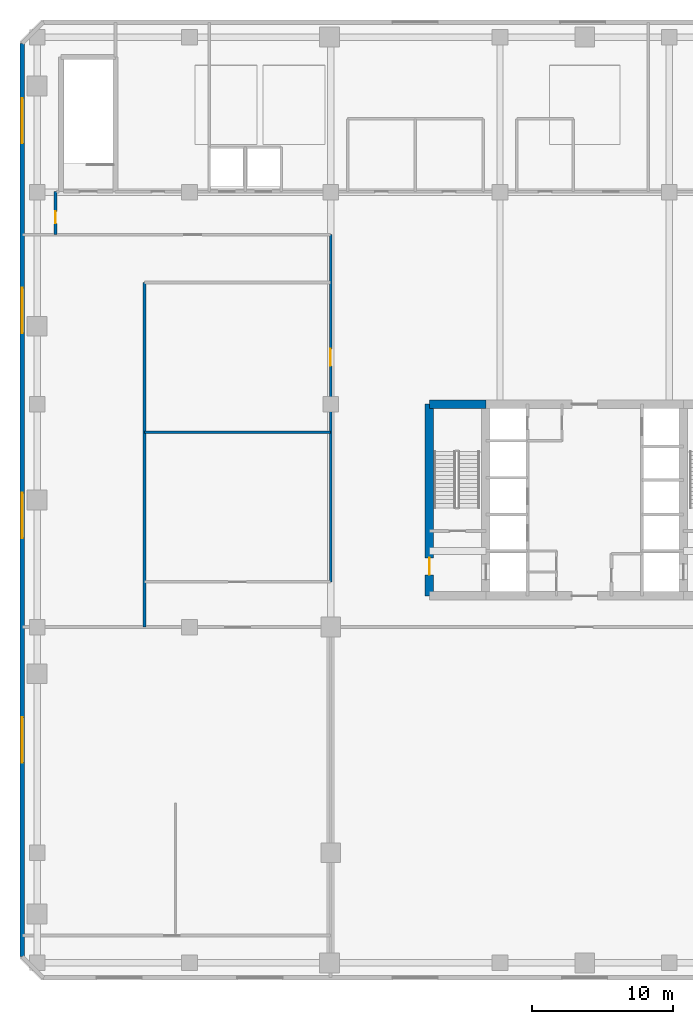
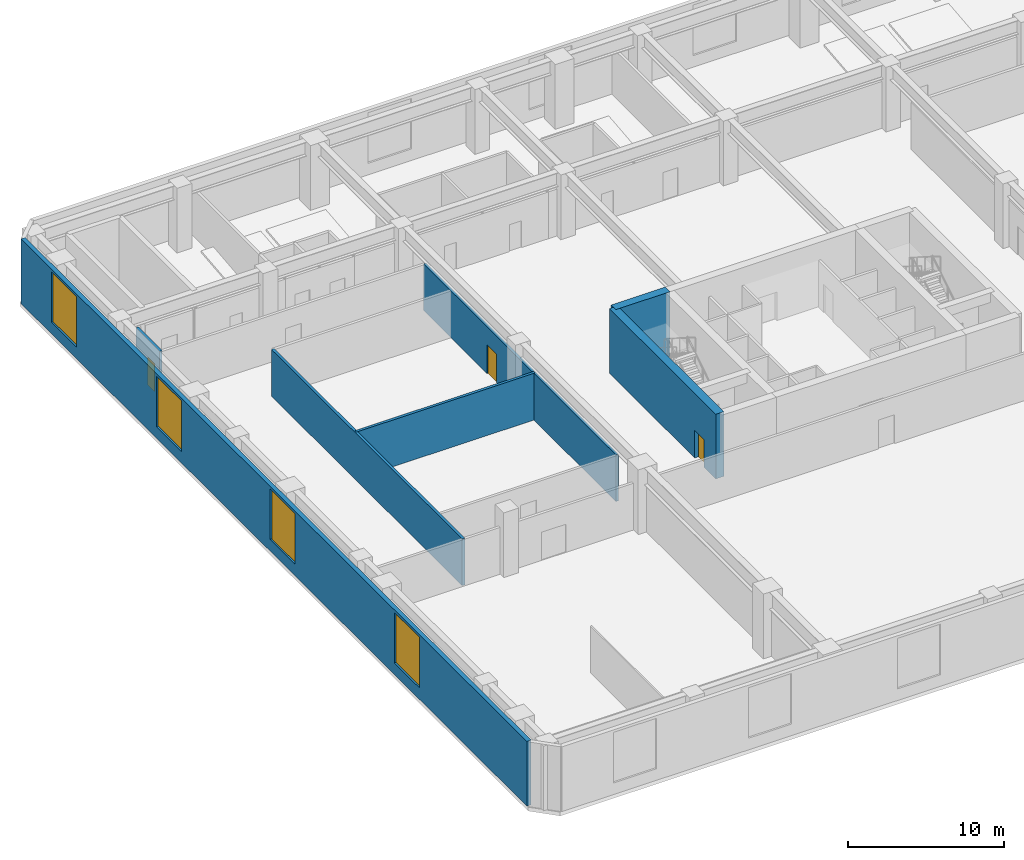
# One storey, part 5 of 12: 7 walls, 4 windows, 3 doors, 7 openings.
"""IFC4 building model written with IfcOpenShell, lengths in metres."""

from ifc_helpers import new_model, si_unit, direction, frame, frame_2d, origin, place, context, subcontext, project, spatial, rectangle, extrude, material, layer, layer_set, type_object, element, fill, save


model = new_model("IFC4")

# Units and contexts
model_context = context("Model", 3, precision=1e-05, world=origin(), true_north=direction((0.0, 1.0)))
body_context = subcontext(model_context, "Body", "Model", "MODEL_VIEW")
ifc_project = project(units=[si_unit("LENGTHUNIT", "METRE"), si_unit("AREAUNIT", "SQUARE_METRE"), si_unit("VOLUMEUNIT", "CUBIC_METRE"), si_unit("PLANEANGLEUNIT", "RADIAN"), si_unit("MASSUNIT", "GRAM", prefix="KILO")], contexts=[model_context])

# Site, building, storey
site_placement = place(None, origin())
site = spatial("IfcSite", under=ifc_project, at=site_placement, CompositionType="ELEMENT")
building_placement = place(site_placement, origin())
building = spatial("IfcBuilding", under=site, at=building_placement, Name="Sarneth Arch Tower", CompositionType="ELEMENT")
storey_placement = place(building_placement, frame((0.0, 0.0, 16.800048828125)))
storey = spatial("IfcBuildingStorey", under=building, at=storey_placement, Name="L03", CompositionType="ELEMENT", Elevation=16.800048828125)

# Wall
ifc_material_1 = material(Name="Concrete C60/75", Category="concrete")
ifc_layer_1 = layer(ifc_material_1, 0.60009765625)
ifc_layer_set_1 = layer_set([ifc_layer_1], Name="Concrete C60/75")
wall_type_1 = type_object("IfcWallType", Name="WALL-CORE-600", PredefinedType="SHEAR", material=ifc_layer_set_1)
wall_1_placement = place(storey_placement, frame((37.0, 48.800048828125, 0.0), z_axis=(0.0, 0.0, 1.0), x_axis=(1.0, 0.0, 0.0)))
element("IfcWall", 1, at=wall_1_placement, inside=storey, type_object=wall_type_1, Name="L03 Core shear wall N-W", PredefinedType="SHEAR", context=body_context, shape_type="SweptSolid", body=[
    extrude(rectangle(XDim=4.0, YDim=0.60009765625, at=frame_2d((2.0, 0.0))), origin(), (0.0, 0.0, 1.0), 5.050048828125),
])

# Wall, opening, door
wall_2_placement = place(storey_placement, frame((37.0, 35.199951171875, 0.0), z_axis=(0.0, 0.0, 1.0), x_axis=(0.0, 1.0, 0.0)))
wall_2 = element("IfcWall", 2, at=wall_2_placement, inside=storey, type_object=wall_type_1, Name="L03 Core shear wall W", PredefinedType="SHEAR", context=body_context, shape_type="SweptSolid", body=[
    extrude(rectangle(XDim=13.60009765625, YDim=0.60009765625, at=frame_2d((6.800048828125, 0.0))), origin(), (0.0, 0.0, 1.0), 5.050048828125),
])
opening_1_placement = place(wall_2_placement, frame((1.5, 0.0, 0.0)))
opening_1 = element("IfcOpeningElement", 3, at=opening_1_placement, cuts=wall_2, Name="Opening FD-02", PredefinedType="OPENING", context=body_context, shape_type="SweptSolid", body=[
    extrude(rectangle(XDim=1.199951171875, YDim=2.14990234375, at=frame_2d((0.60009765625, 1.074951171875))), frame((0.0, 0.31005859375, 0.0), z_axis=(0.0, -1.0, 0.0), x_axis=(1.0, 0.0, 0.0)), (0.0, 0.0, 1.0), 0.6201171875),
])
ifc_material_2 = material(Name="Galvanised Steel S275 fire door set", Category="steel")
door_type_1 = type_object("IfcDoorType", Name="DR-FD90-1200", OperationType="SINGLE_SWING_LEFT", PredefinedType="DOOR", material=ifc_material_2)
door_1_placement = place(opening_1_placement, origin())
door_1 = element("IfcDoor", 4, at=door_1_placement, inside=storey, type_object=door_type_1, Name="L03 Firefighting lobby 1 exit door", OperationType="SINGLE_SWING_LEFT", OverallHeight=2.14990234375, OverallWidth=1.199951171875, PredefinedType="DOOR", context=body_context, shape_type="SweptSolid", body=[
    extrude(rectangle(XDim=1.199951171875, YDim=2.14990234375, at=frame_2d((0.60009765625, 1.074951171875))), frame((0.0, 0.02490234375, 0.0), z_axis=(0.0, -1.0, 0.0), x_axis=(1.0, 0.0, 0.0)), (0.0, 0.0, 1.0), 0.050048828125),
])
fill(opening_1, door_1)

ifc_material_3 = material(Name="Double steel-stud corridor fire wall", Category="steel")
ifc_layer_2 = layer(ifc_material_3, 0.18994140625)
ifc_layer_set_2 = layer_set([ifc_layer_2], Name="Double steel-stud corridor fire wall")
wall_type_2 = type_object("IfcWallType", Name="WALL-CORR-190", PredefinedType="PARTITIONING", material=ifc_layer_set_2)
wall_3_placement = place(storey_placement, frame((30.0, 60.800048828125, 0.0), z_axis=(0.0, 0.0, 1.0), x_axis=(0.0, -1.0, 0.0)))
wall_3 = element("IfcWall", 5, at=wall_3_placement, inside=storey, type_object=wall_type_2, Name="L03 Interior partition W-L03-TP-005", PredefinedType="PARTITIONING", context=body_context, shape_type="SweptSolid", body=[
    extrude(rectangle(XDim=24.60009765625, YDim=0.18994140625, at=frame_2d((12.300048828125, 0.0))), origin(), (0.0, 0.0, 1.0), 3.64990234375),
])
opening_2_placement = place(wall_3_placement, frame((8.10009765625, 0.0, 0.0)))
opening_2 = element("IfcOpeningElement", 6, at=opening_2_placement, cuts=wall_3, Name="Opening FD-06", PredefinedType="OPENING", context=body_context, shape_type="SweptSolid", body=[
    extrude(rectangle(XDim=1.199951171875, YDim=2.25, at=frame_2d((0.60009765625, 1.125))), frame((0.0, 0.10498046875, 0.0), z_axis=(0.0, -1.0, 0.0), x_axis=(1.0, 0.0, 0.0)), (0.0, 0.0, 1.0), 0.2099609375),
])
ifc_material_4 = material(Name="Hardwood timber acoustic fire door", Category="wood")
door_type_2 = type_object("IfcDoorType", Name="DR-FD60-1200", OperationType="SINGLE_SWING_LEFT", PredefinedType="DOOR", material=ifc_material_4)
door_2_placement = place(opening_2_placement, origin())
door_2 = element("IfcDoor", 7, at=door_2_placement, inside=storey, type_object=door_type_2, Name="L03 Interior door DR-L03-CONF2", OperationType="SINGLE_SWING_LEFT", OverallHeight=2.25, OverallWidth=1.199951171875, PredefinedType="DOOR", context=body_context, shape_type="SweptSolid", body=[
    extrude(rectangle(XDim=1.199951171875, YDim=2.25, at=frame_2d((0.60009765625, 1.125))), frame((0.0, 0.02490234375, 0.0), z_axis=(0.0, -1.0, 0.0), x_axis=(1.0, 0.0, 0.0)), (0.0, 0.0, 1.0), 0.050048828125),
])
fill(opening_2, door_2)

wall_4_placement = place(storey_placement, frame((10.5, 60.800048828125, 0.0), z_axis=(0.0, 0.0, 1.0), x_axis=(0.0, 1.0, 0.0)))
wall_4 = element("IfcWall", 8, at=wall_4_placement, inside=storey, type_object=wall_type_2, Name="L03 Interior partition W-L03-TP-019", PredefinedType="PARTITIONING", context=body_context, shape_type="SweptSolid", body=[
    extrude(rectangle(XDim=3.050048828125, YDim=0.18994140625, at=frame_2d((1.52490234375, 0.0))), origin(), (0.0, 0.0, 1.0), 3.64990234375),
])
opening_3_placement = place(wall_4_placement, frame((0.800048828125, 0.0, 0.0)))
opening_3 = element("IfcOpeningElement", 9, at=opening_3_placement, cuts=wall_4, Name="Opening FD-11", PredefinedType="OPENING", context=body_context, shape_type="SweptSolid", body=[
    extrude(rectangle(XDim=0.85009765625, YDim=2.14990234375, at=frame_2d((0.425048828125, 1.074951171875))), frame((0.0, 0.10498046875, 0.0), z_axis=(0.0, -1.0, 0.0), x_axis=(1.0, 0.0, 0.0)), (0.0, 0.0, 1.0), 0.2099609375),
])
ifc_material_5 = material(Name="Galvanised Steel S275 closet fire door", Category="steel")
door_type_3 = type_object("IfcDoorType", Name="DR-FD60-850", OperationType="SINGLE_SWING_LEFT", PredefinedType="DOOR", material=ifc_material_5)
door_3_placement = place(opening_3_placement, origin())
door_3 = element("IfcDoor", 10, at=door_3_placement, inside=storey, type_object=door_type_3, Name="L03 Interior door DR-L03-CLSW", OperationType="SINGLE_SWING_LEFT", OverallHeight=2.14990234375, OverallWidth=0.85009765625, PredefinedType="DOOR", context=body_context, shape_type="SweptSolid", body=[
    extrude(rectangle(XDim=0.85009765625, YDim=2.14990234375, at=frame_2d((0.425048828125, 1.074951171875))), frame((0.0, 0.02490234375, 0.0), z_axis=(0.0, -1.0, 0.0), x_axis=(1.0, 0.0, 0.0)), (0.0, 0.0, 1.0), 0.050048828125),
])
fill(opening_3, door_3)

# Wall, openings, windows
ifc_material_6 = material(Name="Extruded terracotta rainscreen on Concrete C40/50 backing", Category="masonry")
ifc_layer_3 = layer(ifc_material_6, 0.320068359375)
ifc_layer_set_3 = layer_set([ifc_layer_3], Name="Extruded terracotta rainscreen on Concrete C40/50 backing")
wall_type_3 = type_object("IfcWallType", Name="WALL-EXT-TERRA-320", PredefinedType="SOLIDWALL", material=ifc_layer_set_3)
wall_5_placement = place(storey_placement, frame((8.14990234375, 74.35009765625, 0.0), z_axis=(0.0, 0.0, 1.0), x_axis=(0.0, -1.0, 0.0)))
wall_5 = element("IfcWall", 11, at=wall_5_placement, inside=storey, type_object=wall_type_3, Name="L03 Podium exterior wall 7", PredefinedType="SOLIDWALL", context=body_context, shape_type="SweptSolid", body=[
    extrude(rectangle(XDim=64.7001953125, YDim=0.320068359375, at=frame_2d((32.35009765625, 0.0))), origin(), (0.0, 0.0, 1.0), 5.050048828125),
])
opening_4_placement = place(wall_5_placement, frame((3.875, 0.0, 0.89990234375)))
opening_4 = element("IfcOpeningElement", 12, at=opening_4_placement, cuts=wall_5, Name="Opening W-01", PredefinedType="OPENING", context=body_context, shape_type="SweptSolid", body=[
    extrude(rectangle(XDim=3.199951171875, YDim=3.949951171875, at=frame_2d((1.60009765625, 1.97509765625))), frame((0.0, 0.169921875, 0.0), z_axis=(0.0, -1.0, 0.0), x_axis=(1.0, 0.0, 0.0)), (0.0, 0.0, 1.0), 0.340087890625),
])
opening_5_placement = place(wall_5_placement, frame((17.324951171875, 0.0, 0.89990234375)))
opening_5 = element("IfcOpeningElement", 13, at=opening_5_placement, cuts=wall_5, Name="Opening W-01", PredefinedType="OPENING", context=body_context, shape_type="SweptSolid", body=[
    extrude(rectangle(XDim=3.199951171875, YDim=3.949951171875, at=frame_2d((1.60009765625, 1.97509765625))), frame((0.0, 0.169921875, 0.0), z_axis=(0.0, -1.0, 0.0), x_axis=(1.0, 0.0, 0.0)), (0.0, 0.0, 1.0), 0.340087890625),
])
opening_6_placement = place(wall_5_placement, frame((31.85009765625, 0.0, 0.89990234375)))
opening_6 = element("IfcOpeningElement", 14, at=opening_6_placement, cuts=wall_5, Name="Opening W-01", PredefinedType="OPENING", context=body_context, shape_type="SweptSolid", body=[
    extrude(rectangle(XDim=3.199951171875, YDim=3.949951171875, at=frame_2d((1.60009765625, 1.97509765625))), frame((0.0, 0.169921875, 0.0), z_axis=(0.0, -1.0, 0.0), x_axis=(1.0, 0.0, 0.0)), (0.0, 0.0, 1.0), 0.340087890625),
])
opening_7_placement = place(wall_5_placement, frame((47.75, 0.0, 0.89990234375)))
opening_7 = element("IfcOpeningElement", 15, at=opening_7_placement, cuts=wall_5, Name="Opening W-01", PredefinedType="OPENING", context=body_context, shape_type="SweptSolid", body=[
    extrude(rectangle(XDim=3.199951171875, YDim=3.949951171875, at=frame_2d((1.60009765625, 1.97509765625))), frame((0.0, 0.169921875, 0.0), z_axis=(0.0, -1.0, 0.0), x_axis=(1.0, 0.0, 0.0)), (0.0, 0.0, 1.0), 0.340087890625),
])
ifc_material_7 = material(Name="Thermally broken Aluminium 6063-T6 and low-e laminated IGU", Category="aluminium")
window_type = type_object("IfcWindowType", Name="WIN-POD-3200x4800", PartitioningType="TRIPLE_PANEL_HORIZONTAL", PredefinedType="WINDOW", material=ifc_material_7)
window_1_placement = place(opening_4_placement, origin())
window_1 = element("IfcWindow", 16, at=window_1_placement, inside=storey, type_object=window_type, Name="L03 Ballroom window 7.1", OverallHeight=3.949951171875, OverallWidth=3.199951171875, PartitioningType="SINGLE_PANEL", PredefinedType="WINDOW", context=body_context, shape_type="SweptSolid", body=[
    extrude(rectangle(XDim=3.199951171875, YDim=3.949951171875, at=frame_2d((1.60009765625, 1.97509765625))), frame((0.0, 0.030029296875, 0.0), z_axis=(0.0, -1.0, 0.0), x_axis=(1.0, 0.0, 0.0)), (0.0, 0.0, 1.0), 0.06005859375),
])
fill(opening_4, window_1)
window_2_placement = place(opening_5_placement, origin())
window_2 = element("IfcWindow", 17, at=window_2_placement, inside=storey, type_object=window_type, Name="L03 Ballroom window 7.2", OverallHeight=3.949951171875, OverallWidth=3.199951171875, PartitioningType="SINGLE_PANEL", PredefinedType="WINDOW", context=body_context, shape_type="SweptSolid", body=[
    extrude(rectangle(XDim=3.199951171875, YDim=3.949951171875, at=frame_2d((1.60009765625, 1.97509765625))), frame((0.0, 0.030029296875, 0.0), z_axis=(0.0, -1.0, 0.0), x_axis=(1.0, 0.0, 0.0)), (0.0, 0.0, 1.0), 0.06005859375),
])
fill(opening_5, window_2)
window_3_placement = place(opening_6_placement, origin())
window_3 = element("IfcWindow", 18, at=window_3_placement, inside=storey, type_object=window_type, Name="L03 Ballroom window 7.3", OverallHeight=3.949951171875, OverallWidth=3.199951171875, PartitioningType="SINGLE_PANEL", PredefinedType="WINDOW", context=body_context, shape_type="SweptSolid", body=[
    extrude(rectangle(XDim=3.199951171875, YDim=3.949951171875, at=frame_2d((1.60009765625, 1.97509765625))), frame((0.0, 0.030029296875, 0.0), z_axis=(0.0, -1.0, 0.0), x_axis=(1.0, 0.0, 0.0)), (0.0, 0.0, 1.0), 0.06005859375),
])
fill(opening_6, window_3)
window_4_placement = place(opening_7_placement, origin())
window_4 = element("IfcWindow", 19, at=window_4_placement, inside=storey, type_object=window_type, Name="L03 Ballroom window 7.4", OverallHeight=3.949951171875, OverallWidth=3.199951171875, PartitioningType="SINGLE_PANEL", PredefinedType="WINDOW", context=body_context, shape_type="SweptSolid", body=[
    extrude(rectangle(XDim=3.199951171875, YDim=3.949951171875, at=frame_2d((1.60009765625, 1.97509765625))), frame((0.0, 0.030029296875, 0.0), z_axis=(0.0, -1.0, 0.0), x_axis=(1.0, 0.0, 0.0)), (0.0, 0.0, 1.0), 0.06005859375),
])
fill(opening_7, window_4)

# Walls
ifc_material_8 = material(Name="Double steel-stud acoustic drywall", Category="steel")
ifc_layer_4 = layer(ifc_material_8, 0.199951171875)
ifc_layer_set_4 = layer_set([ifc_layer_4], Name="Double steel-stud acoustic drywall")
wall_type_4 = type_object("IfcWallType", Name="WALL-UNIT-200", PredefinedType="PARTITIONING", material=ifc_layer_set_4)
wall_6_placement = place(storey_placement, frame((16.800048828125, 46.800048828125, 0.0), z_axis=(0.0, 0.0, 1.0), x_axis=(1.0, 0.0, 0.0)))
element("IfcWall", 20, at=wall_6_placement, inside=storey, type_object=wall_type_4, Name="L03 Interior partition W-L03-TP-028", PredefinedType="PARTITIONING", context=body_context, shape_type="SweptSolid", body=[
    extrude(rectangle(XDim=13.199951171875, YDim=0.199951171875, at=frame_2d((6.60009765625, 0.0))), origin(), (0.0, 0.0, 1.0), 3.64990234375),
])
wall_7_placement = place(storey_placement, frame((16.800048828125, 33.0, 0.0), z_axis=(0.0, 0.0, 1.0), x_axis=(0.0, 1.0, 0.0)))
element("IfcWall", 21, at=wall_7_placement, inside=storey, type_object=wall_type_4, Name="L03 Interior partition W-L03-TP-030", PredefinedType="PARTITIONING", context=body_context, shape_type="SweptSolid", body=[
    extrude(rectangle(XDim=24.39990234375, YDim=0.199951171875, at=frame_2d((12.199951171875, 0.0))), origin(), (0.0, 0.0, 1.0), 3.64990234375),
])

save(model, "model.ifc")
